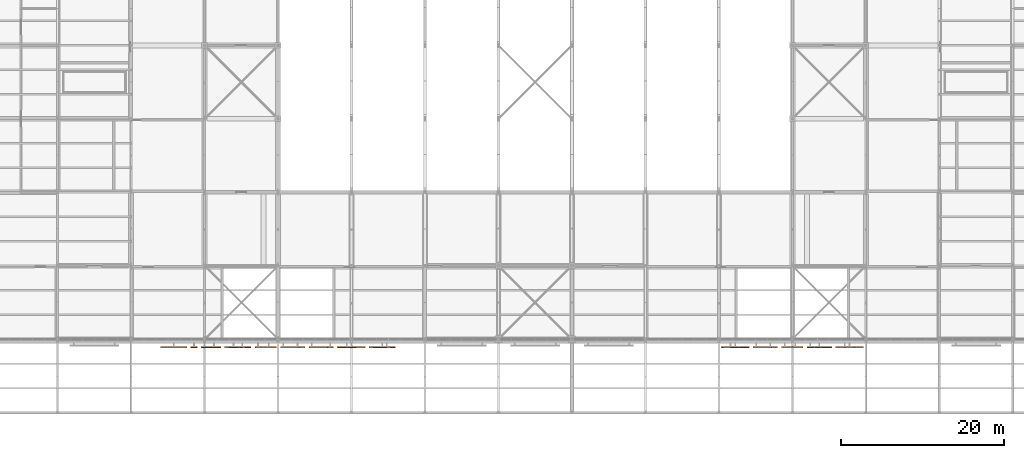
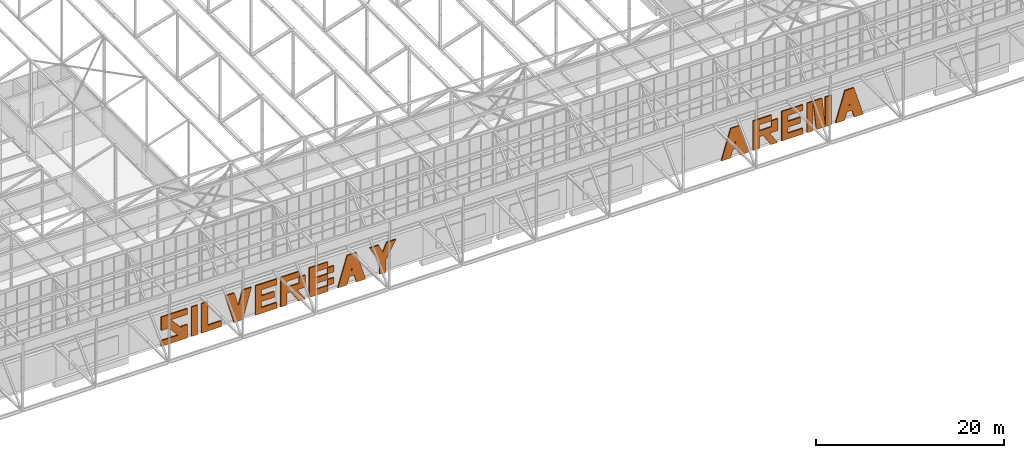
# One storey, part 645 of 646: 14 proxies.
"""IFC4 building model written with IfcOpenShell, lengths in metres."""

from ifc_helpers import new_model, si_unit, direction, frame, origin, place, context, subcontext, project, spatial, faceted_brep, material, type_object, element, save


model = new_model("IFC4")

# Units and contexts
model_context = context("Model", 3, precision=1e-05, world=origin(), true_north=direction((0.0, 1.0)))
body_context = subcontext(model_context, "Body", "Model", "MODEL_VIEW")
ifc_project = project(units=[si_unit("LENGTHUNIT", "METRE"), si_unit("AREAUNIT", "SQUARE_METRE"), si_unit("VOLUMEUNIT", "CUBIC_METRE"), si_unit("PLANEANGLEUNIT", "RADIAN"), si_unit("MASSUNIT", "GRAM", prefix="KILO")], contexts=[model_context])

# Site, building, storey
site_placement = place(None, origin())
site = spatial("IfcSite", under=ifc_project, at=site_placement, CompositionType="ELEMENT")
building_placement = place(site_placement, origin())
building = spatial("IfcBuilding", under=site, at=building_placement, Name="Silverbay Arena", CompositionType="ELEMENT")
storey_placement = place(building_placement, frame((0.0, 0.0, 33.5)))
storey = spatial("IfcBuildingStorey", under=building, at=storey_placement, Name="L05", CompositionType="ELEMENT", Elevation=33.5)

# Proxies
ifc_material = material(Name="Stainless steel grade 316, brushed", Category="steel")
building_element_proxy_type = type_object("IfcBuildingElementProxyType", Name="Name band letter 3800", PredefinedType="USERDEFINED", material=ifc_material)
proxy_1_placement = place(storey_placement, origin())
element("IfcBuildingElementProxy", 1, at=proxy_1_placement, inside=storey, type_object=building_element_proxy_type, Name="Name band letter S", ObjectType="SIGNAGE", PredefinedType="USERDEFINED", context=body_context, shape_type="Brep", body=[
    faceted_brep([(84.6103515625, 17.10009765625, 3.9033203125), (87.839599609375, 17.10009765625, 3.9033203125), (87.839599609375, 17.10009765625, 3.146484375), (84.6103515625, 17.10009765625, 3.146484375), (84.6103515625, 16.949951171875, 3.146484375), (87.839599609375, 16.949951171875, 3.146484375), (87.839599609375, 16.949951171875, 3.9033203125), (84.6103515625, 16.949951171875, 3.9033203125), (84.615966796875, 17.10009765625, 3.161865234375), (85.384033203125, 17.10009765625, 3.161865234375), (85.384033203125, 17.10009765625, 2.1630859375), (84.615966796875, 17.10009765625, 2.1630859375), (84.615966796875, 16.949951171875, 2.1630859375), (85.384033203125, 16.949951171875, 2.1630859375), (85.384033203125, 16.949951171875, 3.161865234375), (84.615966796875, 16.949951171875, 3.161865234375), (84.61279296875, 17.10009765625, 3.15869140625), (85.76953125, 17.10009765625, 3.1640625), (87.837158203125, 17.10009765625, 0.84130859375), (86.680419921875, 17.10009765625, 0.8359375), (86.680419921875, 16.949951171875, 0.8359375), (87.837158203125, 16.949951171875, 0.84130859375), (85.76953125, 16.949951171875, 3.1640625), (84.61279296875, 16.949951171875, 3.15869140625), (87.06591796875, 17.10009765625, 1.8369140625), (87.833984375, 17.10009765625, 1.8369140625), (87.833984375, 17.10009765625, 0.838134765625), (87.06591796875, 17.10009765625, 0.838134765625), (87.06591796875, 16.949951171875, 0.838134765625), (87.833984375, 16.949951171875, 0.838134765625), (87.833984375, 16.949951171875, 1.8369140625), (87.06591796875, 16.949951171875, 1.8369140625), (84.6103515625, 17.10009765625, 0.853515625), (87.839599609375, 17.10009765625, 0.853515625), (87.839599609375, 17.10009765625, 0.0966796875), (84.6103515625, 17.10009765625, 0.0966796875), (84.6103515625, 16.949951171875, 0.0966796875), (87.839599609375, 16.949951171875, 0.0966796875), (87.839599609375, 16.949951171875, 0.853515625), (84.6103515625, 16.949951171875, 0.853515625)], [[[0, 1, 2, 3]], [[4, 5, 6, 7]], [[3, 2, 5, 4]], [[2, 1, 6, 5]], [[1, 0, 7, 6]], [[0, 3, 4, 7]], [[8, 9, 10, 11]], [[12, 13, 14, 15]], [[11, 10, 13, 12]], [[10, 9, 14, 13]], [[9, 8, 15, 14]], [[8, 11, 12, 15]], [[16, 17, 18, 19]], [[20, 21, 22, 23]], [[23, 22, 17, 16]], [[22, 21, 18, 17]], [[21, 20, 19, 18]], [[20, 23, 16, 19]], [[24, 25, 26, 27]], [[28, 29, 30, 31]], [[27, 26, 29, 28]], [[26, 25, 30, 29]], [[25, 24, 31, 30]], [[24, 27, 28, 31]], [[32, 33, 34, 35]], [[36, 37, 38, 39]], [[35, 34, 37, 36]], [[34, 33, 38, 37]], [[33, 32, 39, 38]], [[32, 35, 36, 39]]]),
])
proxy_2_placement = place(storey_placement, origin())
element("IfcBuildingElementProxy", 2, at=proxy_2_placement, inside=storey, type_object=building_element_proxy_type, Name="Name band letter I", ObjectType="SIGNAGE", PredefinedType="USERDEFINED", context=body_context, shape_type="Brep", body=[
    faceted_brep([(88.322021484375, 17.10009765625, 3.914794921875), (89.077880859375, 17.10009765625, 3.914794921875), (89.077880859375, 17.10009765625, 0.085205078125), (88.322021484375, 17.10009765625, 0.085205078125), (88.322021484375, 16.949951171875, 0.085205078125), (89.077880859375, 16.949951171875, 0.085205078125), (89.077880859375, 16.949951171875, 3.914794921875), (88.322021484375, 16.949951171875, 3.914794921875)], [[[0, 1, 2, 3]], [[4, 5, 6, 7]], [[3, 2, 5, 4]], [[2, 1, 6, 5]], [[1, 0, 7, 6]], [[0, 3, 4, 7]]]),
])
proxy_3_placement = place(storey_placement, origin())
element("IfcBuildingElementProxy", 3, at=proxy_3_placement, inside=storey, type_object=building_element_proxy_type, Name="Name band letter L", ObjectType="SIGNAGE", PredefinedType="USERDEFINED", context=body_context, shape_type="Brep", body=[
    faceted_brep([(89.572021484375, 17.10009765625, 3.914794921875), (90.327880859375, 17.10009765625, 3.914794921875), (90.327880859375, 17.10009765625, 0.085205078125), (89.572021484375, 17.10009765625, 0.085205078125), (89.572021484375, 16.949951171875, 0.085205078125), (90.327880859375, 16.949951171875, 0.085205078125), (90.327880859375, 16.949951171875, 3.914794921875), (89.572021484375, 16.949951171875, 3.914794921875), (90.311279296875, 17.10009765625, 0.856201171875), (91.98876953125, 17.10009765625, 0.856201171875), (91.98876953125, 17.10009765625, 0.09375), (90.311279296875, 17.10009765625, 0.09375), (90.311279296875, 16.949951171875, 0.09375), (91.98876953125, 16.949951171875, 0.09375), (91.98876953125, 16.949951171875, 0.856201171875), (90.311279296875, 16.949951171875, 0.856201171875)], [[[0, 1, 2, 3]], [[4, 5, 6, 7]], [[3, 2, 5, 4]], [[2, 1, 6, 5]], [[1, 0, 7, 6]], [[0, 3, 4, 7]], [[8, 9, 10, 11]], [[12, 13, 14, 15]], [[11, 10, 13, 12]], [[10, 9, 14, 13]], [[9, 8, 15, 14]], [[8, 11, 12, 15]]]),
])
proxy_4_placement = place(storey_placement, origin())
element("IfcBuildingElementProxy", 4, at=proxy_4_placement, inside=storey, type_object=building_element_proxy_type, Name="Name band letter V", ObjectType="SIGNAGE", PredefinedType="USERDEFINED", context=body_context, shape_type="Brep", body=[
    faceted_brep([(92.467529296875, 17.10009765625, 3.9130859375), (93.5751953125, 17.10009765625, 3.9150390625), (94.63232421875, 17.10009765625, 0.0869140625), (93.52490234375, 17.10009765625, 0.0849609375), (93.52490234375, 16.949951171875, 0.0849609375), (94.63232421875, 16.949951171875, 0.0869140625), (93.5751953125, 16.949951171875, 3.9150390625), (92.467529296875, 16.949951171875, 3.9130859375), (94.57470703125, 17.10009765625, 3.9150390625), (95.682373046875, 17.10009765625, 3.9130859375), (94.625244140625, 17.10009765625, 0.0849609375), (93.517578125, 17.10009765625, 0.0869140625), (93.517578125, 16.949951171875, 0.0869140625), (94.625244140625, 16.949951171875, 0.0849609375), (95.682373046875, 16.949951171875, 3.9130859375), (94.57470703125, 16.949951171875, 3.9150390625)], [[[0, 1, 2, 3]], [[4, 5, 6, 7]], [[7, 6, 1, 0]], [[6, 5, 2, 1]], [[5, 4, 3, 2]], [[4, 7, 0, 3]], [[8, 9, 10, 11]], [[12, 13, 14, 15]], [[15, 14, 9, 8]], [[14, 13, 10, 9]], [[13, 12, 11, 10]], [[12, 15, 8, 11]]]),
])
proxy_5_placement = place(storey_placement, origin())
element("IfcBuildingElementProxy", 5, at=proxy_5_placement, inside=storey, type_object=building_element_proxy_type, Name="Name band letter E", ObjectType="SIGNAGE", PredefinedType="USERDEFINED", context=body_context, shape_type="Brep", body=[
    faceted_brep([(96.172119140625, 17.10009765625, 3.914794921875), (96.927978515625, 17.10009765625, 3.914794921875), (96.927978515625, 17.10009765625, 0.085205078125), (96.172119140625, 17.10009765625, 0.085205078125), (96.172119140625, 16.949951171875, 0.085205078125), (96.927978515625, 16.949951171875, 0.085205078125), (96.927978515625, 16.949951171875, 3.914794921875), (96.172119140625, 16.949951171875, 3.914794921875), (96.9111328125, 17.10009765625, 3.905517578125), (98.788818359375, 17.10009765625, 3.905517578125), (98.788818359375, 17.10009765625, 3.144287109375), (96.9111328125, 17.10009765625, 3.144287109375), (96.9111328125, 16.949951171875, 3.144287109375), (98.788818359375, 16.949951171875, 3.144287109375), (98.788818359375, 16.949951171875, 3.905517578125), (96.9111328125, 16.949951171875, 3.905517578125), (96.91162109375, 17.10009765625, 2.381591796875), (98.488525390625, 17.10009765625, 2.381591796875), (98.488525390625, 17.10009765625, 1.618408203125), (96.91162109375, 17.10009765625, 1.618408203125), (96.91162109375, 16.949951171875, 1.618408203125), (98.488525390625, 16.949951171875, 1.618408203125), (98.488525390625, 16.949951171875, 2.381591796875), (96.91162109375, 16.949951171875, 2.381591796875), (96.9111328125, 17.10009765625, 0.855712890625), (98.788818359375, 17.10009765625, 0.855712890625), (98.788818359375, 17.10009765625, 0.094482421875), (96.9111328125, 17.10009765625, 0.094482421875), (96.9111328125, 16.949951171875, 0.094482421875), (98.788818359375, 16.949951171875, 0.094482421875), (98.788818359375, 16.949951171875, 0.855712890625), (96.9111328125, 16.949951171875, 0.855712890625)], [[[0, 1, 2, 3]], [[4, 5, 6, 7]], [[3, 2, 5, 4]], [[2, 1, 6, 5]], [[1, 0, 7, 6]], [[0, 3, 4, 7]], [[8, 9, 10, 11]], [[12, 13, 14, 15]], [[11, 10, 13, 12]], [[10, 9, 14, 13]], [[9, 8, 15, 14]], [[8, 11, 12, 15]], [[16, 17, 18, 19]], [[20, 21, 22, 23]], [[19, 18, 21, 20]], [[18, 17, 22, 21]], [[17, 16, 23, 22]], [[16, 19, 20, 23]], [[24, 25, 26, 27]], [[28, 29, 30, 31]], [[27, 26, 29, 28]], [[26, 25, 30, 29]], [[25, 24, 31, 30]], [[24, 27, 28, 31]]]),
])
proxy_6_placement = place(storey_placement, origin())
element("IfcBuildingElementProxy", 6, at=proxy_6_placement, inside=storey, type_object=building_element_proxy_type, Name="Name band letter R", ObjectType="SIGNAGE", PredefinedType="USERDEFINED", context=body_context, shape_type="Brep", body=[
    faceted_brep([(99.272216796875, 17.10009765625, 3.914794921875), (100.02783203125, 17.10009765625, 3.914794921875), (100.02783203125, 17.10009765625, 0.085205078125), (99.272216796875, 17.10009765625, 0.085205078125), (99.272216796875, 16.949951171875, 0.085205078125), (100.02783203125, 16.949951171875, 0.085205078125), (100.02783203125, 16.949951171875, 3.914794921875), (99.272216796875, 16.949951171875, 3.914794921875), (100.01171875, 17.10009765625, 3.90673828125), (101.538330078125, 17.10009765625, 3.90673828125), (101.538330078125, 17.10009765625, 3.143310546875), (100.01171875, 17.10009765625, 3.143310546875), (100.01171875, 16.949951171875, 3.143310546875), (101.538330078125, 16.949951171875, 3.143310546875), (101.538330078125, 16.949951171875, 3.90673828125), (100.01171875, 16.949951171875, 3.90673828125), (101.518310546875, 17.10009765625, 3.16357421875), (102.281494140625, 17.10009765625, 3.16357421875), (102.281494140625, 17.10009765625, 1.611572265625), (101.518310546875, 17.10009765625, 1.611572265625), (101.518310546875, 16.949951171875, 1.611572265625), (102.281494140625, 16.949951171875, 1.611572265625), (102.281494140625, 16.949951171875, 3.16357421875), (101.518310546875, 16.949951171875, 3.16357421875), (100.01171875, 17.10009765625, 2.381591796875), (101.538330078125, 17.10009765625, 2.381591796875), (101.538330078125, 17.10009765625, 1.618408203125), (100.01171875, 17.10009765625, 1.618408203125), (100.01171875, 16.949951171875, 1.618408203125), (101.538330078125, 16.949951171875, 1.618408203125), (101.538330078125, 16.949951171875, 2.381591796875), (100.01171875, 16.949951171875, 2.381591796875), (100.463623046875, 17.10009765625, 1.634765625), (101.298583984375, 17.10009765625, 1.639892578125), (102.286376953125, 17.10009765625, 0.09033203125), (101.451416015625, 17.10009765625, 0.085205078125), (101.451416015625, 16.949951171875, 0.085205078125), (102.286376953125, 16.949951171875, 0.09033203125), (101.298583984375, 16.949951171875, 1.639892578125), (100.463623046875, 16.949951171875, 1.634765625)], [[[0, 1, 2, 3]], [[4, 5, 6, 7]], [[3, 2, 5, 4]], [[2, 1, 6, 5]], [[1, 0, 7, 6]], [[0, 3, 4, 7]], [[8, 9, 10, 11]], [[12, 13, 14, 15]], [[11, 10, 13, 12]], [[10, 9, 14, 13]], [[9, 8, 15, 14]], [[8, 11, 12, 15]], [[16, 17, 18, 19]], [[20, 21, 22, 23]], [[19, 18, 21, 20]], [[18, 17, 22, 21]], [[17, 16, 23, 22]], [[16, 19, 20, 23]], [[24, 25, 26, 27]], [[28, 29, 30, 31]], [[27, 26, 29, 28]], [[26, 25, 30, 29]], [[25, 24, 31, 30]], [[24, 27, 28, 31]], [[32, 33, 34, 35]], [[36, 37, 38, 39]], [[39, 38, 33, 32]], [[38, 37, 34, 33]], [[37, 36, 35, 34]], [[36, 39, 32, 35]]]),
])
proxy_7_placement = place(storey_placement, origin())
element("IfcBuildingElementProxy", 7, at=proxy_7_placement, inside=storey, type_object=building_element_proxy_type, Name="Name band letter B", ObjectType="SIGNAGE", PredefinedType="USERDEFINED", context=body_context, shape_type="Brep", body=[
    faceted_brep([(102.772216796875, 17.10009765625, 3.914794921875), (103.52783203125, 17.10009765625, 3.914794921875), (103.52783203125, 17.10009765625, 0.085205078125), (102.772216796875, 17.10009765625, 0.085205078125), (102.772216796875, 16.949951171875, 0.085205078125), (103.52783203125, 16.949951171875, 0.085205078125), (103.52783203125, 16.949951171875, 3.914794921875), (102.772216796875, 16.949951171875, 3.914794921875), (103.51171875, 17.10009765625, 3.90673828125), (105.038330078125, 17.10009765625, 3.90673828125), (105.038330078125, 17.10009765625, 3.143310546875), (103.51171875, 17.10009765625, 3.143310546875), (103.51171875, 16.949951171875, 3.143310546875), (105.038330078125, 16.949951171875, 3.143310546875), (105.038330078125, 16.949951171875, 3.90673828125), (103.51171875, 16.949951171875, 3.90673828125), (103.51171875, 17.10009765625, 2.381591796875), (105.038330078125, 17.10009765625, 2.381591796875), (105.038330078125, 17.10009765625, 1.618408203125), (103.51171875, 17.10009765625, 1.618408203125), (103.51171875, 16.949951171875, 1.618408203125), (105.038330078125, 16.949951171875, 1.618408203125), (105.038330078125, 16.949951171875, 2.381591796875), (103.51171875, 16.949951171875, 2.381591796875), (103.51171875, 17.10009765625, 0.856689453125), (105.038330078125, 17.10009765625, 0.856689453125), (105.038330078125, 17.10009765625, 0.09326171875), (103.51171875, 17.10009765625, 0.09326171875), (103.51171875, 16.949951171875, 0.09326171875), (105.038330078125, 16.949951171875, 0.09326171875), (105.038330078125, 16.949951171875, 0.856689453125), (103.51171875, 16.949951171875, 0.856689453125), (105.0146484375, 17.10009765625, 3.160888671875), (105.785400390625, 17.10009765625, 3.160888671875), (105.785400390625, 17.10009765625, 2.3642578125), (105.0146484375, 17.10009765625, 2.3642578125), (105.0146484375, 16.949951171875, 2.3642578125), (105.785400390625, 16.949951171875, 2.3642578125), (105.785400390625, 16.949951171875, 3.160888671875), (105.0146484375, 16.949951171875, 3.160888671875), (105.0146484375, 17.10009765625, 1.6357421875), (105.785400390625, 17.10009765625, 1.6357421875), (105.785400390625, 17.10009765625, 0.839111328125), (105.0146484375, 17.10009765625, 0.839111328125), (105.0146484375, 16.949951171875, 0.839111328125), (105.785400390625, 16.949951171875, 0.839111328125), (105.785400390625, 16.949951171875, 1.6357421875), (105.0146484375, 16.949951171875, 1.6357421875)], [[[0, 1, 2, 3]], [[4, 5, 6, 7]], [[3, 2, 5, 4]], [[2, 1, 6, 5]], [[1, 0, 7, 6]], [[0, 3, 4, 7]], [[8, 9, 10, 11]], [[12, 13, 14, 15]], [[11, 10, 13, 12]], [[10, 9, 14, 13]], [[9, 8, 15, 14]], [[8, 11, 12, 15]], [[16, 17, 18, 19]], [[20, 21, 22, 23]], [[19, 18, 21, 20]], [[18, 17, 22, 21]], [[17, 16, 23, 22]], [[16, 19, 20, 23]], [[24, 25, 26, 27]], [[28, 29, 30, 31]], [[27, 26, 29, 28]], [[26, 25, 30, 29]], [[25, 24, 31, 30]], [[24, 27, 28, 31]], [[32, 33, 34, 35]], [[36, 37, 38, 39]], [[35, 34, 37, 36]], [[34, 33, 38, 37]], [[33, 32, 39, 38]], [[32, 35, 36, 39]], [[40, 41, 42, 43]], [[44, 45, 46, 47]], [[43, 42, 45, 44]], [[42, 41, 46, 45]], [[41, 40, 47, 46]], [[40, 43, 44, 47]]]),
])
proxy_8_placement = place(storey_placement, origin())
element("IfcBuildingElementProxy", 8, at=proxy_8_placement, inside=storey, type_object=building_element_proxy_type, Name="Name band letter A", ObjectType="SIGNAGE", PredefinedType="USERDEFINED", context=body_context, shape_type="Brep", body=[
    faceted_brep([(107.42529296875, 17.10009765625, 3.9150390625), (108.53271484375, 17.10009765625, 3.912841796875), (107.374755859375, 17.10009765625, 0.0849609375), (106.267333984375, 17.10009765625, 0.087158203125), (106.267333984375, 16.949951171875, 0.087158203125), (107.374755859375, 16.949951171875, 0.0849609375), (108.53271484375, 16.949951171875, 3.912841796875), (107.42529296875, 16.949951171875, 3.9150390625), (107.41748046875, 17.10009765625, 3.912841796875), (108.52490234375, 17.10009765625, 3.9150390625), (109.6826171875, 17.10009765625, 0.087158203125), (108.5751953125, 17.10009765625, 0.0849609375), (108.5751953125, 16.949951171875, 0.0849609375), (109.6826171875, 16.949951171875, 0.087158203125), (108.52490234375, 16.949951171875, 3.9150390625), (107.41748046875, 16.949951171875, 3.912841796875), (107.6171875, 17.10009765625, 1.810546875), (108.3330078125, 17.10009765625, 1.810546875), (108.3330078125, 17.10009765625, 1.08935546875), (107.6171875, 17.10009765625, 1.08935546875), (107.6171875, 16.949951171875, 1.08935546875), (108.3330078125, 16.949951171875, 1.08935546875), (108.3330078125, 16.949951171875, 1.810546875), (107.6171875, 16.949951171875, 1.810546875)], [[[0, 1, 2, 3]], [[4, 5, 6, 7]], [[3, 2, 5, 4]], [[2, 1, 6, 5]], [[1, 0, 7, 6]], [[0, 3, 4, 7]], [[8, 9, 10, 11]], [[12, 13, 14, 15]], [[11, 10, 13, 12]], [[10, 9, 14, 13]], [[9, 8, 15, 14]], [[8, 11, 12, 15]], [[16, 17, 18, 19]], [[20, 21, 22, 23]], [[19, 18, 21, 20]], [[18, 17, 22, 21]], [[17, 16, 23, 22]], [[16, 19, 20, 23]]]),
])
proxy_9_placement = place(storey_placement, origin())
element("IfcBuildingElementProxy", 9, at=proxy_9_placement, inside=storey, type_object=building_element_proxy_type, Name="Name band letter Y", ObjectType="SIGNAGE", PredefinedType="USERDEFINED", context=body_context, shape_type="Brep", body=[
    faceted_brep([(111.39404296875, 17.10009765625, 1.82373046875), (112.156005859375, 17.10009765625, 1.82373046875), (112.156005859375, 17.10009765625, 0.086181640625), (111.39404296875, 17.10009765625, 0.086181640625), (111.39404296875, 16.949951171875, 0.086181640625), (112.156005859375, 16.949951171875, 0.086181640625), (112.156005859375, 16.949951171875, 1.82373046875), (111.39404296875, 16.949951171875, 1.82373046875), (110.164306640625, 17.10009765625, 3.910400390625), (111.275390625, 17.10009765625, 3.9150390625), (112.235107421875, 17.10009765625, 1.799072265625), (111.326171875, 17.10009765625, 1.794921875), (111.326171875, 16.949951171875, 1.794921875), (112.235107421875, 16.949951171875, 1.799072265625), (111.275390625, 16.949951171875, 3.9150390625), (110.164306640625, 16.949951171875, 3.910400390625), (112.274658203125, 17.10009765625, 3.9150390625), (113.3857421875, 17.10009765625, 3.910400390625), (112.223876953125, 17.10009765625, 1.794921875), (111.314697265625, 17.10009765625, 1.799072265625), (111.314697265625, 16.949951171875, 1.799072265625), (112.223876953125, 16.949951171875, 1.794921875), (113.3857421875, 16.949951171875, 3.910400390625), (112.274658203125, 16.949951171875, 3.9150390625)], [[[0, 1, 2, 3]], [[4, 5, 6, 7]], [[3, 2, 5, 4]], [[2, 1, 6, 5]], [[1, 0, 7, 6]], [[0, 3, 4, 7]], [[8, 9, 10, 11]], [[12, 13, 14, 15]], [[15, 14, 9, 8]], [[14, 13, 10, 9]], [[13, 12, 11, 10]], [[12, 15, 8, 11]], [[16, 17, 18, 19]], [[20, 21, 22, 23]], [[23, 22, 17, 16]], [[22, 21, 18, 17]], [[21, 20, 19, 18]], [[20, 23, 16, 19]]]),
])
proxy_10_placement = place(storey_placement, origin())
element("IfcBuildingElementProxy", 10, at=proxy_10_placement, inside=storey, type_object=building_element_proxy_type, Name="Name band letter A", ObjectType="SIGNAGE", PredefinedType="USERDEFINED", context=body_context, shape_type="Brep", body=[
    faceted_brep([(154.4501953125, 17.10009765625, 3.9150390625), (155.5576171875, 17.10009765625, 3.912841796875), (154.39990234375, 17.10009765625, 0.0849609375), (153.29248046875, 17.10009765625, 0.087158203125), (153.29248046875, 16.949951171875, 0.087158203125), (154.39990234375, 16.949951171875, 0.0849609375), (155.5576171875, 16.949951171875, 3.912841796875), (154.4501953125, 16.949951171875, 3.9150390625), (154.4423828125, 17.10009765625, 3.912841796875), (155.5498046875, 17.10009765625, 3.9150390625), (156.70751953125, 17.10009765625, 0.087158203125), (155.60009765625, 17.10009765625, 0.0849609375), (155.60009765625, 16.949951171875, 0.0849609375), (156.70751953125, 16.949951171875, 0.087158203125), (155.5498046875, 16.949951171875, 3.9150390625), (154.4423828125, 16.949951171875, 3.912841796875), (154.64208984375, 17.10009765625, 1.810546875), (155.35791015625, 17.10009765625, 1.810546875), (155.35791015625, 17.10009765625, 1.08935546875), (154.64208984375, 17.10009765625, 1.08935546875), (154.64208984375, 16.949951171875, 1.08935546875), (155.35791015625, 16.949951171875, 1.08935546875), (155.35791015625, 16.949951171875, 1.810546875), (154.64208984375, 16.949951171875, 1.810546875)], [[[0, 1, 2, 3]], [[4, 5, 6, 7]], [[3, 2, 5, 4]], [[2, 1, 6, 5]], [[1, 0, 7, 6]], [[0, 3, 4, 7]], [[8, 9, 10, 11]], [[12, 13, 14, 15]], [[11, 10, 13, 12]], [[10, 9, 14, 13]], [[9, 8, 15, 14]], [[8, 11, 12, 15]], [[16, 17, 18, 19]], [[20, 21, 22, 23]], [[19, 18, 21, 20]], [[18, 17, 22, 21]], [[17, 16, 23, 22]], [[16, 19, 20, 23]]]),
])
proxy_11_placement = place(storey_placement, origin())
element("IfcBuildingElementProxy", 11, at=proxy_11_placement, inside=storey, type_object=building_element_proxy_type, Name="Name band letter R", ObjectType="SIGNAGE", PredefinedType="USERDEFINED", context=body_context, shape_type="Brep", body=[
    faceted_brep([(157.197021484375, 17.10009765625, 3.914794921875), (157.952880859375, 17.10009765625, 3.914794921875), (157.952880859375, 17.10009765625, 0.085205078125), (157.197021484375, 17.10009765625, 0.085205078125), (157.197021484375, 16.949951171875, 0.085205078125), (157.952880859375, 16.949951171875, 0.085205078125), (157.952880859375, 16.949951171875, 3.914794921875), (157.197021484375, 16.949951171875, 3.914794921875), (157.9365234375, 17.10009765625, 3.90673828125), (159.46337890625, 17.10009765625, 3.90673828125), (159.46337890625, 17.10009765625, 3.143310546875), (157.9365234375, 17.10009765625, 3.143310546875), (157.9365234375, 16.949951171875, 3.143310546875), (159.46337890625, 16.949951171875, 3.143310546875), (159.46337890625, 16.949951171875, 3.90673828125), (157.9365234375, 16.949951171875, 3.90673828125), (159.443359375, 17.10009765625, 3.16357421875), (160.20654296875, 17.10009765625, 3.16357421875), (160.20654296875, 17.10009765625, 1.611572265625), (159.443359375, 17.10009765625, 1.611572265625), (159.443359375, 16.949951171875, 1.611572265625), (160.20654296875, 16.949951171875, 1.611572265625), (160.20654296875, 16.949951171875, 3.16357421875), (159.443359375, 16.949951171875, 3.16357421875), (157.9365234375, 17.10009765625, 2.381591796875), (159.46337890625, 17.10009765625, 2.381591796875), (159.46337890625, 17.10009765625, 1.618408203125), (157.9365234375, 17.10009765625, 1.618408203125), (157.9365234375, 16.949951171875, 1.618408203125), (159.46337890625, 16.949951171875, 1.618408203125), (159.46337890625, 16.949951171875, 2.381591796875), (157.9365234375, 16.949951171875, 2.381591796875), (158.388671875, 17.10009765625, 1.634765625), (159.223388671875, 17.10009765625, 1.639892578125), (160.21142578125, 17.10009765625, 0.09033203125), (159.37646484375, 17.10009765625, 0.085205078125), (159.37646484375, 16.949951171875, 0.085205078125), (160.21142578125, 16.949951171875, 0.09033203125), (159.223388671875, 16.949951171875, 1.639892578125), (158.388671875, 16.949951171875, 1.634765625)], [[[0, 1, 2, 3]], [[4, 5, 6, 7]], [[3, 2, 5, 4]], [[2, 1, 6, 5]], [[1, 0, 7, 6]], [[0, 3, 4, 7]], [[8, 9, 10, 11]], [[12, 13, 14, 15]], [[11, 10, 13, 12]], [[10, 9, 14, 13]], [[9, 8, 15, 14]], [[8, 11, 12, 15]], [[16, 17, 18, 19]], [[20, 21, 22, 23]], [[19, 18, 21, 20]], [[18, 17, 22, 21]], [[17, 16, 23, 22]], [[16, 19, 20, 23]], [[24, 25, 26, 27]], [[28, 29, 30, 31]], [[27, 26, 29, 28]], [[26, 25, 30, 29]], [[25, 24, 31, 30]], [[24, 27, 28, 31]], [[32, 33, 34, 35]], [[36, 37, 38, 39]], [[39, 38, 33, 32]], [[38, 37, 34, 33]], [[37, 36, 35, 34]], [[36, 39, 32, 35]]]),
])
proxy_12_placement = place(storey_placement, origin())
element("IfcBuildingElementProxy", 12, at=proxy_12_placement, inside=storey, type_object=building_element_proxy_type, Name="Name band letter E", ObjectType="SIGNAGE", PredefinedType="USERDEFINED", context=body_context, shape_type="Brep", body=[
    faceted_brep([(160.697021484375, 17.10009765625, 3.914794921875), (161.452880859375, 17.10009765625, 3.914794921875), (161.452880859375, 17.10009765625, 0.085205078125), (160.697021484375, 17.10009765625, 0.085205078125), (160.697021484375, 16.949951171875, 0.085205078125), (161.452880859375, 16.949951171875, 0.085205078125), (161.452880859375, 16.949951171875, 3.914794921875), (160.697021484375, 16.949951171875, 3.914794921875), (161.43603515625, 17.10009765625, 3.905517578125), (163.31396484375, 17.10009765625, 3.905517578125), (163.31396484375, 17.10009765625, 3.144287109375), (161.43603515625, 17.10009765625, 3.144287109375), (161.43603515625, 16.949951171875, 3.144287109375), (163.31396484375, 16.949951171875, 3.144287109375), (163.31396484375, 16.949951171875, 3.905517578125), (161.43603515625, 16.949951171875, 3.905517578125), (161.4365234375, 17.10009765625, 2.381591796875), (163.013427734375, 17.10009765625, 2.381591796875), (163.013427734375, 17.10009765625, 1.618408203125), (161.4365234375, 17.10009765625, 1.618408203125), (161.4365234375, 16.949951171875, 1.618408203125), (163.013427734375, 16.949951171875, 1.618408203125), (163.013427734375, 16.949951171875, 2.381591796875), (161.4365234375, 16.949951171875, 2.381591796875), (161.43603515625, 17.10009765625, 0.855712890625), (163.31396484375, 17.10009765625, 0.855712890625), (163.31396484375, 17.10009765625, 0.094482421875), (161.43603515625, 17.10009765625, 0.094482421875), (161.43603515625, 16.949951171875, 0.094482421875), (163.31396484375, 16.949951171875, 0.094482421875), (163.31396484375, 16.949951171875, 0.855712890625), (161.43603515625, 16.949951171875, 0.855712890625)], [[[0, 1, 2, 3]], [[4, 5, 6, 7]], [[3, 2, 5, 4]], [[2, 1, 6, 5]], [[1, 0, 7, 6]], [[0, 3, 4, 7]], [[8, 9, 10, 11]], [[12, 13, 14, 15]], [[11, 10, 13, 12]], [[10, 9, 14, 13]], [[9, 8, 15, 14]], [[8, 11, 12, 15]], [[16, 17, 18, 19]], [[20, 21, 22, 23]], [[19, 18, 21, 20]], [[18, 17, 22, 21]], [[17, 16, 23, 22]], [[16, 19, 20, 23]], [[24, 25, 26, 27]], [[28, 29, 30, 31]], [[27, 26, 29, 28]], [[26, 25, 30, 29]], [[25, 24, 31, 30]], [[24, 27, 28, 31]]]),
])
proxy_13_placement = place(storey_placement, origin())
element("IfcBuildingElementProxy", 13, at=proxy_13_placement, inside=storey, type_object=building_element_proxy_type, Name="Name band letter N", ObjectType="SIGNAGE", PredefinedType="USERDEFINED", context=body_context, shape_type="Brep", body=[
    faceted_brep([(163.797119140625, 17.10009765625, 3.914794921875), (164.552978515625, 17.10009765625, 3.914794921875), (164.552978515625, 17.10009765625, 0.085205078125), (163.797119140625, 17.10009765625, 0.085205078125), (163.797119140625, 16.949951171875, 0.085205078125), (164.552978515625, 16.949951171875, 0.085205078125), (164.552978515625, 16.949951171875, 3.914794921875), (163.797119140625, 16.949951171875, 3.914794921875), (166.047119140625, 17.10009765625, 3.914794921875), (166.802978515625, 17.10009765625, 3.914794921875), (166.802978515625, 17.10009765625, 0.085205078125), (166.047119140625, 17.10009765625, 0.085205078125), (166.047119140625, 16.949951171875, 0.085205078125), (166.802978515625, 16.949951171875, 0.085205078125), (166.802978515625, 16.949951171875, 3.914794921875), (166.047119140625, 16.949951171875, 3.914794921875), (164.54443359375, 17.10009765625, 3.9140625), (165.652587890625, 17.10009765625, 3.914794921875), (166.055419921875, 17.10009765625, 0.0859375), (164.947265625, 17.10009765625, 0.085205078125), (164.947265625, 16.949951171875, 0.085205078125), (166.055419921875, 16.949951171875, 0.0859375), (165.652587890625, 16.949951171875, 3.914794921875), (164.54443359375, 16.949951171875, 3.9140625)], [[[0, 1, 2, 3]], [[4, 5, 6, 7]], [[3, 2, 5, 4]], [[2, 1, 6, 5]], [[1, 0, 7, 6]], [[0, 3, 4, 7]], [[8, 9, 10, 11]], [[12, 13, 14, 15]], [[11, 10, 13, 12]], [[10, 9, 14, 13]], [[9, 8, 15, 14]], [[8, 11, 12, 15]], [[16, 17, 18, 19]], [[20, 21, 22, 23]], [[23, 22, 17, 16]], [[22, 21, 18, 17]], [[21, 20, 19, 18]], [[20, 23, 16, 19]]]),
])
proxy_14_placement = place(storey_placement, origin())
element("IfcBuildingElementProxy", 14, at=proxy_14_placement, inside=storey, type_object=building_element_proxy_type, Name="Name band letter A", ObjectType="SIGNAGE", PredefinedType="USERDEFINED", context=body_context, shape_type="Brep", body=[
    faceted_brep([(168.4501953125, 17.10009765625, 3.9150390625), (169.5576171875, 17.10009765625, 3.912841796875), (168.39990234375, 17.10009765625, 0.0849609375), (167.29248046875, 17.10009765625, 0.087158203125), (167.29248046875, 16.949951171875, 0.087158203125), (168.39990234375, 16.949951171875, 0.0849609375), (169.5576171875, 16.949951171875, 3.912841796875), (168.4501953125, 16.949951171875, 3.9150390625), (168.4423828125, 17.10009765625, 3.912841796875), (169.5498046875, 17.10009765625, 3.9150390625), (170.70751953125, 17.10009765625, 0.087158203125), (169.60009765625, 17.10009765625, 0.0849609375), (169.60009765625, 16.949951171875, 0.0849609375), (170.70751953125, 16.949951171875, 0.087158203125), (169.5498046875, 16.949951171875, 3.9150390625), (168.4423828125, 16.949951171875, 3.912841796875), (168.64208984375, 17.10009765625, 1.810546875), (169.35791015625, 17.10009765625, 1.810546875), (169.35791015625, 17.10009765625, 1.08935546875), (168.64208984375, 17.10009765625, 1.08935546875), (168.64208984375, 16.949951171875, 1.08935546875), (169.35791015625, 16.949951171875, 1.08935546875), (169.35791015625, 16.949951171875, 1.810546875), (168.64208984375, 16.949951171875, 1.810546875)], [[[0, 1, 2, 3]], [[4, 5, 6, 7]], [[3, 2, 5, 4]], [[2, 1, 6, 5]], [[1, 0, 7, 6]], [[0, 3, 4, 7]], [[8, 9, 10, 11]], [[12, 13, 14, 15]], [[11, 10, 13, 12]], [[10, 9, 14, 13]], [[9, 8, 15, 14]], [[8, 11, 12, 15]], [[16, 17, 18, 19]], [[20, 21, 22, 23]], [[19, 18, 21, 20]], [[18, 17, 22, 21]], [[17, 16, 23, 22]], [[16, 19, 20, 23]]]),
])

save(model, "model.ifc")
